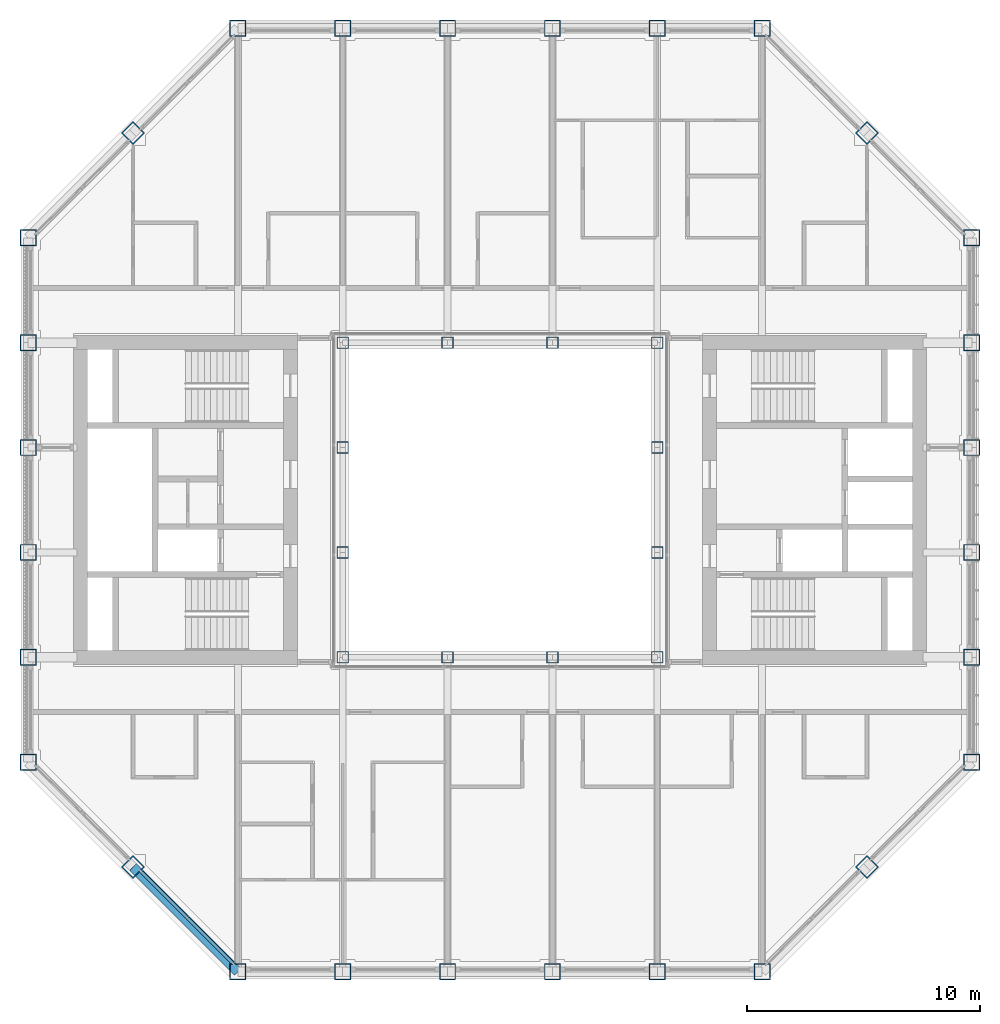
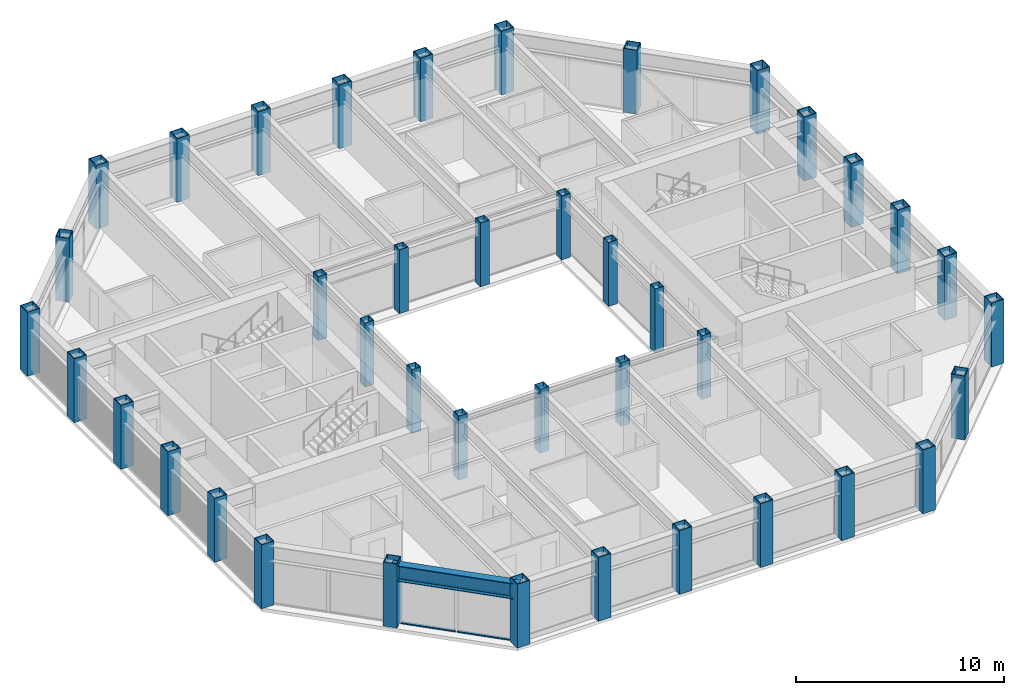
# One storey, part 1 of 18: 40 columns, 4 members, 1 beam, 1 element without a shape of its own.
"""IFC4 building model written with IfcOpenShell, lengths in metres."""

from ifc_helpers import new_model, si_unit, direction, frame, origin, origin_2d, place, context, subcontext, project, spatial, rectangle, hollow_rectangle, i_section, extrude, material, material_profile, profile_set, type_object, element, aggregate, save


model = new_model("IFC4")

# Units and contexts
model_context = context("Model", 3, precision=1e-05, world=origin(), true_north=direction((0.0, 1.0)))
body_context = subcontext(model_context, "Body", "Model", "MODEL_VIEW")
ifc_project = project(units=[si_unit("LENGTHUNIT", "METRE"), si_unit("AREAUNIT", "SQUARE_METRE"), si_unit("VOLUMEUNIT", "CUBIC_METRE"), si_unit("PLANEANGLEUNIT", "RADIAN"), si_unit("MASSUNIT", "GRAM", prefix="KILO")], contexts=[model_context])

# Site, building, storey
site_placement = place(None, origin())
site = spatial("IfcSite", under=ifc_project, at=site_placement, CompositionType="ELEMENT")
building_placement = place(site_placement, origin())
building = spatial("IfcBuilding", under=site, at=building_placement, Name="Msasa Ring Tower", CompositionType="ELEMENT")
storey_placement = place(building_placement, frame((0.0, 0.0, 227.050048828125)))
storey = spatial("IfcBuildingStorey", under=building, at=storey_placement, Name="L59", CompositionType="ELEMENT", Elevation=227.050048828125)

# Columns
ifc_material_1 = material(Name="Steel S355", Category="steel")
ifc_material_profile_1 = material_profile(ifc_material_1, hollow_rectangle(XDim=0.5, YDim=0.5, WallThickness=0.030029296875, at=origin_2d()), Name="BOX 500x500x30")
ifc_profile_set_1 = profile_set([ifc_material_profile_1], Name="Steel S355")
column_type_1 = type_object("IfcColumnType", Name="IC6 BOX 500x500x30", PredefinedType="COLUMN", material=ifc_profile_set_1)
for number, where, z_axis, x_axis, name in (
    (1, (-6.75, -6.75, 0.0), (0.0, 0.0, 1.0), (1.0, 0.0, 0.0), "Inner ring column IR-6.75-6.75 L59"),
    (2, (-6.75, -2.25, 0.0), (0.0, 0.0, 1.0), (1.0, 0.0, 0.0), "Inner ring column IR-6.75-2.25 L59"),
    (3, (-6.75, 2.25, 0.0), (0.0, 0.0, 1.0), (1.0, 0.0, 0.0), "Inner ring column IR-6.75+2.25 L59"),
    (4, (-6.75, 6.75, 0.0), (0.0, 0.0, 1.0), (1.0, 0.0, 0.0), "Inner ring column IR-6.75+6.75 L59"),
    (5, (-2.25, -6.75, 0.0), (0.0, 0.0, 1.0), (1.0, 0.0, 0.0), "Inner ring column IR-2.25-6.75 L59"),
    (6, (-2.25, 6.75, 0.0), (0.0, 0.0, 1.0), (1.0, 0.0, 0.0), "Inner ring column IR-2.25+6.75 L59"),
    (7, (2.25, -6.75, 0.0), (0.0, 0.0, 1.0), (1.0, 0.0, 0.0), "Inner ring column IR+2.25-6.75 L59"),
    (8, (2.25, 6.75, 0.0), (0.0, 0.0, 1.0), (1.0, 0.0, 0.0), "Inner ring column IR+2.25+6.75 L59"),
    (9, (6.75, -6.75, 0.0), (0.0, 0.0, 1.0), (1.0, 0.0, 0.0), "Inner ring column IR+6.75-6.75 L59"),
    (10, (6.75, -2.25, 0.0), (0.0, 0.0, 1.0), (1.0, 0.0, 0.0), "Inner ring column IR+6.75-2.25 L59"),
    (11, (6.75, 2.25, 0.0), (0.0, 0.0, 1.0), (1.0, 0.0, 0.0), "Inner ring column IR+6.75+2.25 L59"),
    (12, (6.75, 6.75, 0.0), (0.0, 0.0, 1.0), (1.0, 0.0, 0.0), "Inner ring column IR+6.75+6.75 L59"),
):
    element("IfcColumn", number, at=place(storey_placement, frame(where, z_axis=z_axis, x_axis=x_axis)), inside=storey, type_object=column_type_1, Name=name, PredefinedType="COLUMN", context=body_context, shape_type="SweptSolid", body=[
        extrude(hollow_rectangle(XDim=0.5, YDim=0.5, WallThickness=0.030029296875, at=origin_2d()), origin(), (0.0, 0.0, 1.0), 3.75),
    ])
ifc_material_2 = material(Name="Steel S355", Category="steel")
ifc_material_profile_2 = material_profile(ifc_material_2, hollow_rectangle(XDim=0.699951171875, YDim=0.699951171875, WallThickness=0.0400390625, at=origin_2d()), Name="BOX 700x700x40")
ifc_profile_set_2 = profile_set([ifc_material_profile_2], Name="Steel S355")
column_type_2 = type_object("IfcColumnType", Name="TC7 BOX 700x700x40", PredefinedType="COLUMN", material=ifc_profile_set_2)
for number, where, z_axis, x_axis, name in (
    (13, (-11.25, -20.25, 0.0), (0.0, 0.0, 1.0), (0.0, 1.0, 0.0), "Tube column S-11.25 L59"),
    (14, (-11.25, 20.25, 0.0), (0.0, 0.0, 1.0), (0.0, 1.0, 0.0), "Tube column N-11.25 L59"),
    (15, (20.25, -11.25, 0.0), (0.0, 0.0, 1.0), (1.0, 0.0, 0.0), "Tube column E-11.25 L59"),
    (16, (-20.25, -11.25, 0.0), (0.0, 0.0, 1.0), (1.0, 0.0, 0.0), "Tube column W-11.25 L59"),
    (17, (-6.75, -20.25, 0.0), (0.0, 0.0, 1.0), (0.0, 1.0, 0.0), "Tube column S-6.75 L59"),
    (18, (-6.75, 20.25, 0.0), (0.0, 0.0, 1.0), (0.0, 1.0, 0.0), "Tube column N-6.75 L59"),
    (19, (20.25, -6.75, 0.0), (0.0, 0.0, 1.0), (1.0, 0.0, 0.0), "Tube column E-6.75 L59"),
    (20, (-20.25, -6.75, 0.0), (0.0, 0.0, 1.0), (1.0, 0.0, 0.0), "Tube column W-6.75 L59"),
    (21, (-2.25, -20.25, 0.0), (0.0, 0.0, 1.0), (0.0, 1.0, 0.0), "Tube column S-2.25 L59"),
    (22, (-2.25, 20.25, 0.0), (0.0, 0.0, 1.0), (0.0, 1.0, 0.0), "Tube column N-2.25 L59"),
    (23, (20.25, -2.25, 0.0), (0.0, 0.0, 1.0), (1.0, 0.0, 0.0), "Tube column E-2.25 L59"),
    (24, (-20.25, -2.25, 0.0), (0.0, 0.0, 1.0), (1.0, 0.0, 0.0), "Tube column W-2.25 L59"),
    (25, (2.25, -20.25, 0.0), (0.0, 0.0, 1.0), (0.0, 1.0, 0.0), "Tube column S+2.25 L59"),
    (26, (2.25, 20.25, 0.0), (0.0, 0.0, 1.0), (0.0, 1.0, 0.0), "Tube column N+2.25 L59"),
    (27, (20.25, 2.25, 0.0), (0.0, 0.0, 1.0), (1.0, 0.0, 0.0), "Tube column E+2.25 L59"),
    (28, (-20.25, 2.25, 0.0), (0.0, 0.0, 1.0), (1.0, 0.0, 0.0), "Tube column W+2.25 L59"),
    (29, (6.75, -20.25, 0.0), (0.0, 0.0, 1.0), (0.0, 1.0, 0.0), "Tube column S+6.75 L59"),
    (30, (6.75, 20.25, 0.0), (0.0, 0.0, 1.0), (0.0, 1.0, 0.0), "Tube column N+6.75 L59"),
    (31, (20.25, 6.75, 0.0), (0.0, 0.0, 1.0), (1.0, 0.0, 0.0), "Tube column E+6.75 L59"),
    (32, (-20.25, 6.75, 0.0), (0.0, 0.0, 1.0), (1.0, 0.0, 0.0), "Tube column W+6.75 L59"),
    (33, (11.25, -20.25, 0.0), (0.0, 0.0, 1.0), (0.0, 1.0, 0.0), "Tube column S+11.25 L59"),
    (34, (11.25, 20.25, 0.0), (0.0, 0.0, 1.0), (0.0, 1.0, 0.0), "Tube column N+11.25 L59"),
    (35, (20.25, 11.25, 0.0), (0.0, 0.0, 1.0), (1.0, 0.0, 0.0), "Tube column E+11.25 L59"),
    (36, (-20.25, 11.25, 0.0), (0.0, 0.0, 1.0), (1.0, 0.0, 0.0), "Tube column W+11.25 L59"),
    (37, (15.75, -15.75, 0.0), (0.0, 0.0, 1.0), (0.707106781187, -0.707106781187, 0.0), "Tube column SE L59"),
    (38, (15.75, 15.75, 0.0), (0.0, 0.0, 1.0), (0.707106781187, 0.707106781187, 0.0), "Tube column NE L59"),
    (39, (-15.75, 15.75, 0.0), (0.0, 0.0, 1.0), (0.707106781187, -0.707106781187, 0.0), "Tube column NW L59"),
    (40, (-15.75, -15.75, 0.0), (0.0, 0.0, 1.0), (0.707106781187, 0.707106781187, 0.0), "Tube column SW L59"),
):
    element("IfcColumn", number, at=place(storey_placement, frame(where, z_axis=z_axis, x_axis=x_axis)), inside=storey, type_object=column_type_2, Name=name, PredefinedType="COLUMN", context=body_context, shape_type="SweptSolid", body=[
        extrude(hollow_rectangle(XDim=0.699951171875, YDim=0.699951171875, WallThickness=0.0400390625, at=origin_2d()), origin(), (0.0, 0.0, 1.0), 3.75),
    ])

# Curtain wall, members
ifc_material_3 = material(Name="Aluminium curtain wall with clear glass", Category="aluminium")
curtain_wall_type = type_object("IfcCurtainWallType", Name="CW-C CHAMFER CORNER CURTAIN WALL", PredefinedType="NOTDEFINED", material=ifc_material_3)
curtain_wall_placement = place(storey_placement, origin())
curtain_wall = element("IfcCurtainWall", 41, at=curtain_wall_placement, inside=storey, type_object=curtain_wall_type, Name="Chamfer corner curtain wall SW L59", PredefinedType="NOTDEFINED")
ifc_material_4 = material(Name="Aluminium transom", Category="aluminium")
ifc_material_profile_3 = material_profile(ifc_material_4, rectangle(XDim=0.139892578125, YDim=0.06494140625, at=origin_2d()), Name="AL 65x140")
ifc_profile_set_3 = profile_set([ifc_material_profile_3], Name="Aluminium transom")
member_type = type_object("IfcMemberType", Name="CW-C TRANSOM 65x140", PredefinedType="USERDEFINED", material=ifc_profile_set_3)
member_1_placement = place(storey_placement, frame((-15.38232421875, -15.976318359375, 0.032470703125), z_axis=(0.707106781187, -0.707106781187, 0.0), x_axis=(0.707106781187, 0.707106781187, 0.0)))
member_1 = element("IfcMember", 42, at=member_1_placement, type_object=member_type, Name="CW-C transom 1.1", ObjectType="TRANSOM", PredefinedType="USERDEFINED", context=body_context, shape_type="SweptSolid", body=[
    extrude(rectangle(XDim=0.139892578125, YDim=0.06494140625, at=origin_2d()), origin(), (0.0, 0.0, 1.0), 2.729248046875),
])
member_2_placement = place(storey_placement, frame((-15.38232421875, -15.976318359375, 2.596435546875), z_axis=(0.707106781187, -0.707106781187, 0.0), x_axis=(0.707106781187, 0.707106781187, 0.0)))
member_2 = element("IfcMember", 43, at=member_2_placement, type_object=member_type, Name="CW-C transom 1.2", ObjectType="TRANSOM", PredefinedType="USERDEFINED", context=body_context, shape_type="SweptSolid", body=[
    extrude(rectangle(XDim=0.139892578125, YDim=0.06494140625, at=origin_2d()), origin(), (0.0, 0.0, 1.0), 2.729248046875),
])
member_3_placement = place(storey_placement, frame((-13.40625, -17.952392578125, 0.032470703125), z_axis=(0.707106781187, -0.707106781187, 0.0), x_axis=(0.707106781187, 0.707106781187, 0.0)))
member_3 = element("IfcMember", 44, at=member_3_placement, type_object=member_type, Name="CW-C transom 2.1", ObjectType="TRANSOM", PredefinedType="USERDEFINED", context=body_context, shape_type="SweptSolid", body=[
    extrude(rectangle(XDim=0.139892578125, YDim=0.06494140625, at=origin_2d()), origin(), (0.0, 0.0, 1.0), 2.729248046875),
])
member_4_placement = place(storey_placement, frame((-13.40625, -17.952392578125, 2.596435546875), z_axis=(0.707106781187, -0.707106781187, 0.0), x_axis=(0.707106781187, 0.707106781187, 0.0)))
member_4 = element("IfcMember", 45, at=member_4_placement, type_object=member_type, Name="CW-C transom 2.2", ObjectType="TRANSOM", PredefinedType="USERDEFINED", context=body_context, shape_type="SweptSolid", body=[
    extrude(rectangle(XDim=0.139892578125, YDim=0.06494140625, at=origin_2d()), origin(), (0.0, 0.0, 1.0), 2.729248046875),
])
aggregate(curtain_wall, [member_1, member_2, member_3, member_4])

# Beam
ifc_material_5 = material(Name="Steel S355", Category="steel")
ifc_material_profile_4 = material_profile(ifc_material_5, i_section(OverallWidth=0.42041015625, OverallDepth=0.9208984375, WebThickness=0.021484375, FlangeThickness=0.03662109375, FilletRadius=0.024169921875, at=origin_2d()), Name="UB 914x419x388")
ifc_profile_set_4 = profile_set([ifc_material_profile_4], Name="Steel S355")
beam_type = type_object("IfcBeamType", Name="SB1 UB 914x419x388", PredefinedType="SPANDREL", material=ifc_profile_set_4)
beam_placement = place(storey_placement, frame((-15.75, -15.75, 3.08935546875), z_axis=(0.707106781187, -0.707106781187, 0.0), x_axis=(0.707106781187, 0.707106781187, 0.0)))
element("IfcBeam", 46, at=beam_placement, inside=storey, type_object=beam_type, Name="Spandrel SW to S-11.25 under L60", PredefinedType="SPANDREL", context=body_context, shape_type="SweptSolid", body=[
    extrude(i_section(OverallWidth=0.42041015625, OverallDepth=0.9208984375, WebThickness=0.021484375, FlangeThickness=0.03662109375, FilletRadius=0.024169921875, at=origin_2d()), origin(), (0.0, 0.0, 1.0), 6.364013671875),
])

save(model, "model.ifc")
